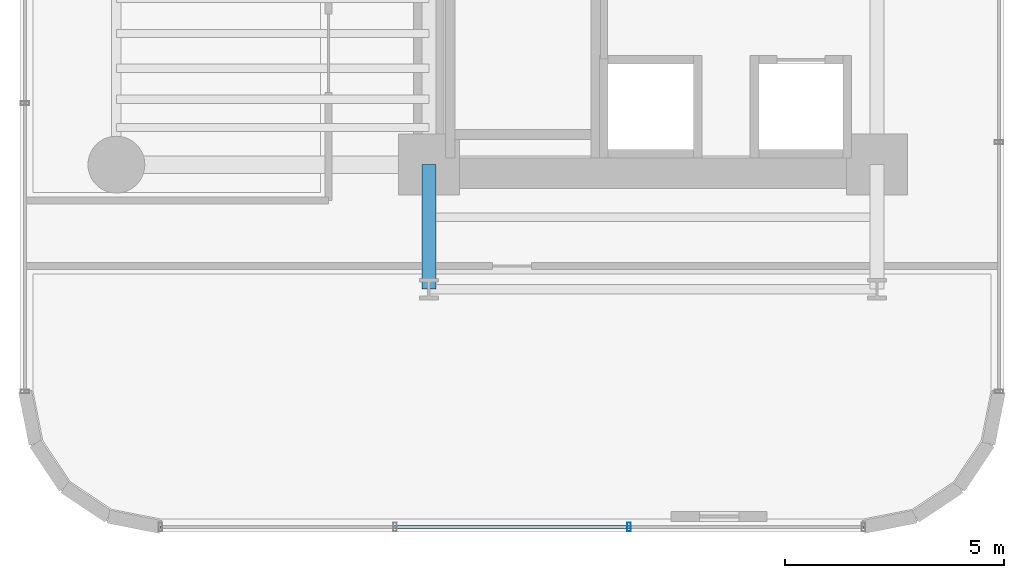
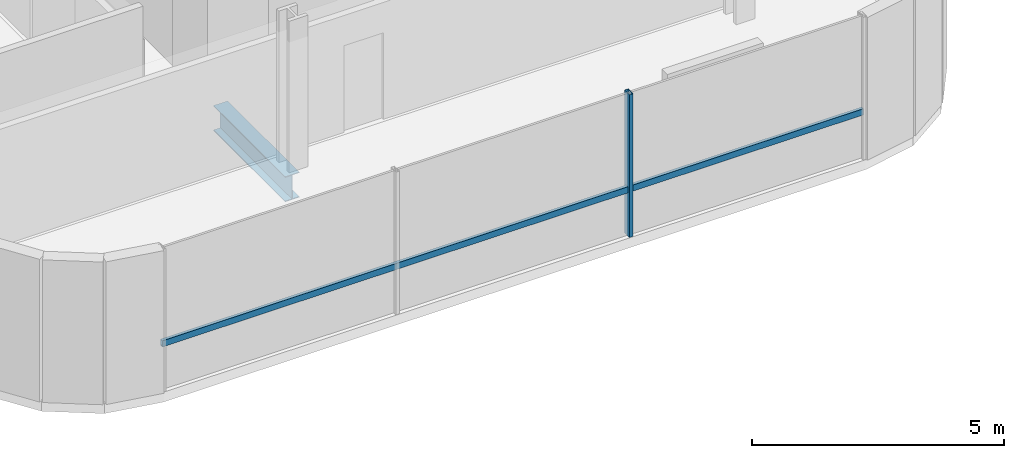
# One storey, part 3 of 39: 2 members, 1 beam, 1 element without a shape of its own.
"""IFC4 building model written with IfcOpenShell, lengths in metres."""

from ifc_helpers import new_model, si_unit, direction, frame, origin, origin_2d, place, context, subcontext, project, spatial, hollow_rectangle, i_section, extrude, source, transform, mapped, material, material_profile, profile_set, type_object, element, aggregate, save


model = new_model("IFC4")

# Units and contexts
model_context = context("Model", 3, precision=1e-05, world=origin(), true_north=direction((0.0, 1.0)))
body_context = subcontext(model_context, "Body", "Model", "MODEL_VIEW")
ifc_project = project(units=[si_unit("LENGTHUNIT", "METRE"), si_unit("AREAUNIT", "SQUARE_METRE"), si_unit("VOLUMEUNIT", "CUBIC_METRE"), si_unit("PLANEANGLEUNIT", "RADIAN"), si_unit("MASSUNIT", "GRAM", prefix="KILO")], contexts=[model_context])

# Site, building, storey
site_placement = place(None, origin())
site = spatial("IfcSite", under=ifc_project, at=site_placement, CompositionType="ELEMENT")
building_placement = place(site_placement, origin())
building = spatial("IfcBuilding", under=site, at=building_placement, Name="Valdorenza Pilgrim Sanctuary Tower", CompositionType="ELEMENT")
storey_placement = place(building_placement, frame((0.0, 0.0, 70.39990234375)))
storey = spatial("IfcBuildingStorey", under=building, at=storey_placement, Name="L17", CompositionType="ELEMENT", Elevation=70.39990234375)

# Beam
ifc_material_1 = material(Name="Steel ASTM A992 Grade 50", Category="steel")
ifc_material_profile_1 = material_profile(ifc_material_1, i_section(OverallWidth=0.323974609375, OverallDepth=0.611083984375, WebThickness=0.0126953125, FlangeThickness=0.01904296875, at=origin_2d()), Name="W24X104")
ifc_profile_set_1 = profile_set([ifc_material_profile_1], Name="Steel ASTM A992 Grade 50")
beam_type = type_object("IfcBeamType", Name="STR-BM-GRD-W24B", PredefinedType="BEAM", material=ifc_profile_set_1)
shared_shape_1 = source(origin(), body_context, "Body", "SweptSolid", [
    extrude(i_section(OverallWidth=0.323974609375, OverallDepth=0.611083984375, WebThickness=0.0126953125, FlangeThickness=0.01904296875, at=origin_2d()), origin(), (0.0, 0.0, 1.0), 2.849853515625),
])
beam_placement = place(storey_placement, frame((-22.64990234375, -13.449951171875, -0.54541015625), z_axis=(0.0, 1.0, 0.0), x_axis=(-1.0, 0.0, 0.0)))
element("IfcBeam", 1, at=beam_placement, inside=storey, type_object=beam_type, Name="L17 Floor Girder WA-S-LW", PredefinedType="BEAM", context=body_context, shape_type="MappedRepresentation", body=[
    mapped(shared_shape_1, transform((0.0, 0.0, 0.0), x_axis=(1.0, 0.0, 0.0), y_axis=(0.0, 1.0, 0.0), z_axis=(0.0, 0.0, 1.0), scale=1.0)),
])

# Curtain wall, members
ifc_material_2 = material(Name="Curtain-wall IGU glazing", Category="glass")
curtain_wall_type = type_object("IfcCurtainWallType", Name="CW-SYS-02", PredefinedType="NOTDEFINED", material=ifc_material_2)
curtain_wall_placement = place(storey_placement, origin())
curtain_wall = element("IfcCurtainWall", 2, at=curtain_wall_placement, inside=storey, type_object=curtain_wall_type, Name="L17 Curtain Wall CW-L17-1-46", PredefinedType="NOTDEFINED")
ifc_material_3 = material(Name="Anodised aluminium AW-6060", Category="aluminium")
ifc_material_profile_2 = material_profile(ifc_material_3, hollow_rectangle(XDim=0.074951171875, YDim=0.14990234375, WallThickness=0.00390625, at=origin_2d()), Name="ALU-T 150x75x4")
ifc_profile_set_2 = profile_set([ifc_material_profile_2], Name="Anodised aluminium AW-6060")
member_type_1 = type_object("IfcMemberType", Name="CW-TRN-02", PredefinedType="USERDEFINED", material=ifc_profile_set_2)
shared_shape_2 = source(origin(), body_context, "Body", "SweptSolid", [
    extrude(hollow_rectangle(XDim=0.074951171875, YDim=0.14990234375, WallThickness=0.00390625, at=origin_2d()), origin(), (0.0, 0.0, 1.0), 16.07861328125),
])
member_1_placement = place(storey_placement, frame((-12.710693359375, -18.889892578125, 1.1201171875), z_axis=(-1.0, 0.0, 0.0), x_axis=(0.0, -1.0, 0.0)))
member_1 = element("IfcMember", 3, at=member_1_placement, type_object=member_type_1, Name="CW-L17-1-46 Transom 1", ObjectType="TRANSOM", PredefinedType="USERDEFINED", context=body_context, shape_type="MappedRepresentation", body=[
    mapped(shared_shape_2, transform((0.0, 0.0, 0.0), x_axis=(1.0, 0.0, 0.0), y_axis=(0.0, 1.0, 0.0), z_axis=(0.0, 0.0, 1.0), scale=1.0)),
])
ifc_material_profile_3 = material_profile(ifc_material_3, hollow_rectangle(XDim=0.0849609375, YDim=0.199951171875, WallThickness=0.0048828125, at=origin_2d()), Name="ALU-M 200x85x5")
ifc_profile_set_3 = profile_set([ifc_material_profile_3], Name="Anodised aluminium AW-6060")
member_type_2 = type_object("IfcMemberType", Name="CW-MUL-02", PredefinedType="MULLION", material=ifc_profile_set_3)
shared_shape_3 = source(origin(), body_context, "Body", "SweptSolid", [
    extrude(hollow_rectangle(XDim=0.0849609375, YDim=0.199951171875, WallThickness=0.0048828125, at=origin_2d()), origin(), (0.0, 0.0, 1.0), 3.460205078125),
])
member_2_placement = place(storey_placement, frame((-18.0703125, -18.889892578125, 0.0), z_axis=(0.0, 0.0, 1.0), x_axis=(-1.0, 0.0, 0.0)))
member_2 = element("IfcMember", 4, at=member_2_placement, type_object=member_type_2, Name="CW-L17-1-46 Mullion 2", PredefinedType="MULLION", context=body_context, shape_type="MappedRepresentation", body=[
    mapped(shared_shape_3, transform((0.0, 0.0, 0.0), x_axis=(1.0, 0.0, 0.0), y_axis=(0.0, 1.0, 0.0), z_axis=(0.0, 0.0, 1.0), scale=1.0)),
])
aggregate(curtain_wall, [member_2, member_1])

save(model, "model.ifc")
